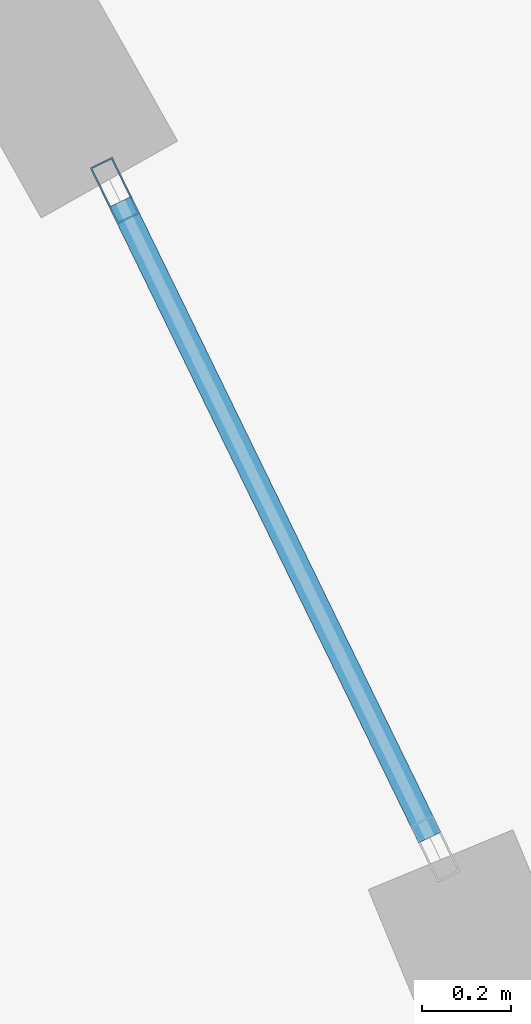
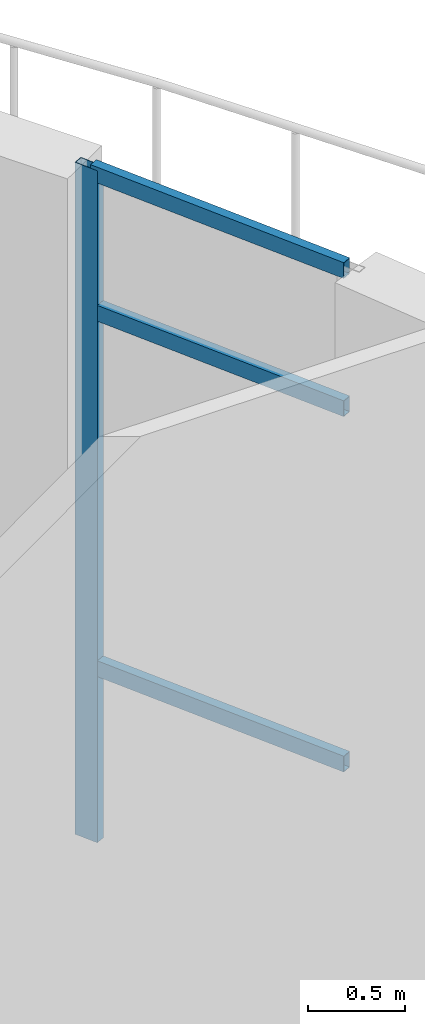
# One storey, part 7 of 26: 4 members, 1 element without a shape of its own.
"""IFC4 building model written with IfcOpenShell, lengths in metres."""

from ifc_helpers import new_model, si_unit, direction, frame, origin, origin_2d, place, context, subcontext, project, spatial, hollow_rectangle, extrude, material, layer, layer_set, material_profile, profile_set, type_object, element, aggregate, save


model = new_model("IFC4")

# Units and contexts
model_context = context("Model", 3, precision=1e-05, world=origin(), true_north=direction((0.0, 1.0)))
body_context = subcontext(model_context, "Body", "Model", "MODEL_VIEW")
ifc_project = project(units=[si_unit("LENGTHUNIT", "METRE"), si_unit("AREAUNIT", "SQUARE_METRE"), si_unit("VOLUMEUNIT", "CUBIC_METRE"), si_unit("PLANEANGLEUNIT", "RADIAN"), si_unit("MASSUNIT", "GRAM", prefix="KILO"), si_unit("THERMODYNAMICTEMPERATUREUNIT", "KELVIN")], contexts=[model_context])

# Site, building, storey
site_placement = place(None, origin())
site = spatial("IfcSite", under=ifc_project, at=site_placement, CompositionType="ELEMENT")
building_placement = place(site_placement, origin())
building = spatial("IfcBuilding", under=site, at=building_placement, Name="Lustrewick Department Store", CompositionType="ELEMENT")
storey_placement = place(building_placement, frame((0.0, 0.0, 36.300048828125)))
storey = spatial("IfcBuildingStorey", under=building, at=storey_placement, Name="L08", CompositionType="ELEMENT", Elevation=36.300048828125)

# Curtain wall, members
ifc_material = material(Name="Thermally broken aluminium 6063-T5", Category="aluminium")
ifc_layer = layer(ifc_material, 0.139892578125, Name="Thermally broken aluminium 6063-T5")
ifc_layer_set = layer_set([ifc_layer], Name="Thermally broken aluminium 6063-T5")
curtain_wall_type = type_object("IfcCurtainWallType", Name="CW06", PredefinedType="NOTDEFINED", material=ifc_layer_set)
curtain_wall_placement = place(storey_placement, origin())
curtain_wall = element("IfcCurtainWall", 1, at=curtain_wall_placement, inside=storey, type_object=curtain_wall_type, Name="L08 V4 Curtain Wall CW06", PredefinedType="NOTDEFINED")
ifc_material_profile_1 = material_profile(ifc_material, hollow_rectangle(XDim=0.054931640625, YDim=0.139892578125, WallThickness=0.00341796875, at=origin_2d()), Name="ALU-M 55x140x3.5")
ifc_profile_set_1 = profile_set([ifc_material_profile_1], Name="Thermally broken aluminium 6063-T5")
member_type_1 = type_object("IfcMemberType", Name="CW06-M1", PredefinedType="MULLION", material=ifc_profile_set_1)
member_1_placement = place(storey_placement, frame((140.804931640625, 72.58740234375, 0.0), z_axis=(0.0, 0.0, 1.0), x_axis=(-0.89908416205, -0.437775821113, 0.0)))
member_1 = element("IfcMember", 2, at=member_1_placement, type_object=member_type_1, Name="CW06 mullion 2", PredefinedType="MULLION", context=body_context, shape_type="SweptSolid", body=[
    extrude(hollow_rectangle(XDim=0.054931640625, YDim=0.139892578125, WallThickness=0.00341796875, at=origin_2d()), origin(), (0.0, 0.0, 1.0), 4.244873046875),
])
ifc_material_profile_2 = material_profile(ifc_material, hollow_rectangle(XDim=0.054931640625, YDim=0.10009765625, WallThickness=0.0029296875, at=origin_2d()), Name="ALU-T 55x100x3")
ifc_profile_set_2 = profile_set([ifc_material_profile_2], Name="Thermally broken aluminium 6063-T5")
member_type_2 = type_object("IfcMemberType", Name="CW06-T1", PredefinedType="USERDEFINED", material=ifc_profile_set_2)
member_2_placement = place(storey_placement, frame((141.509033203125, 71.14111328125, 1.099853515625), z_axis=(-0.437739031594, 0.899102074416, 0.0), x_axis=(-0.899102074416, -0.437739031594, 0.0)))
member_2 = element("IfcMember", 3, at=member_2_placement, type_object=member_type_2, Name="CW06 transom 1.2", ObjectType="TRANSOM", PredefinedType="USERDEFINED", context=body_context, shape_type="SweptSolid", body=[
    extrude(hollow_rectangle(XDim=0.054931640625, YDim=0.10009765625, WallThickness=0.0029296875, at=origin_2d()), origin(), (0.0, 0.0, 1.0), 1.5810546875),
])
member_3_placement = place(storey_placement, frame((141.509033203125, 71.14111328125, 3.344970703125), z_axis=(-0.437739031594, 0.899102074416, 0.0), x_axis=(-0.899102074416, -0.437739031594, 0.0)))
member_3 = element("IfcMember", 4, at=member_3_placement, type_object=member_type_2, Name="CW06 transom 1.3", ObjectType="TRANSOM", PredefinedType="USERDEFINED", context=body_context, shape_type="SweptSolid", body=[
    extrude(hollow_rectangle(XDim=0.054931640625, YDim=0.10009765625, WallThickness=0.0029296875, at=origin_2d()), origin(), (0.0, 0.0, 1.0), 1.5810546875),
])
member_4_placement = place(storey_placement, frame((141.509033203125, 71.14111328125, 4.217529296875), z_axis=(-0.437739031594, 0.899102074416, 0.0), x_axis=(-0.899102074416, -0.437739031594, 0.0)))
member_4 = element("IfcMember", 5, at=member_4_placement, type_object=member_type_2, Name="CW06 transom 1.4", ObjectType="TRANSOM", PredefinedType="USERDEFINED", context=body_context, shape_type="SweptSolid", body=[
    extrude(hollow_rectangle(XDim=0.054931640625, YDim=0.10009765625, WallThickness=0.0029296875, at=origin_2d()), origin(), (0.0, 0.0, 1.0), 1.5810546875),
])
aggregate(curtain_wall, [member_1, member_2, member_3, member_4])

save(model, "model.ifc")
